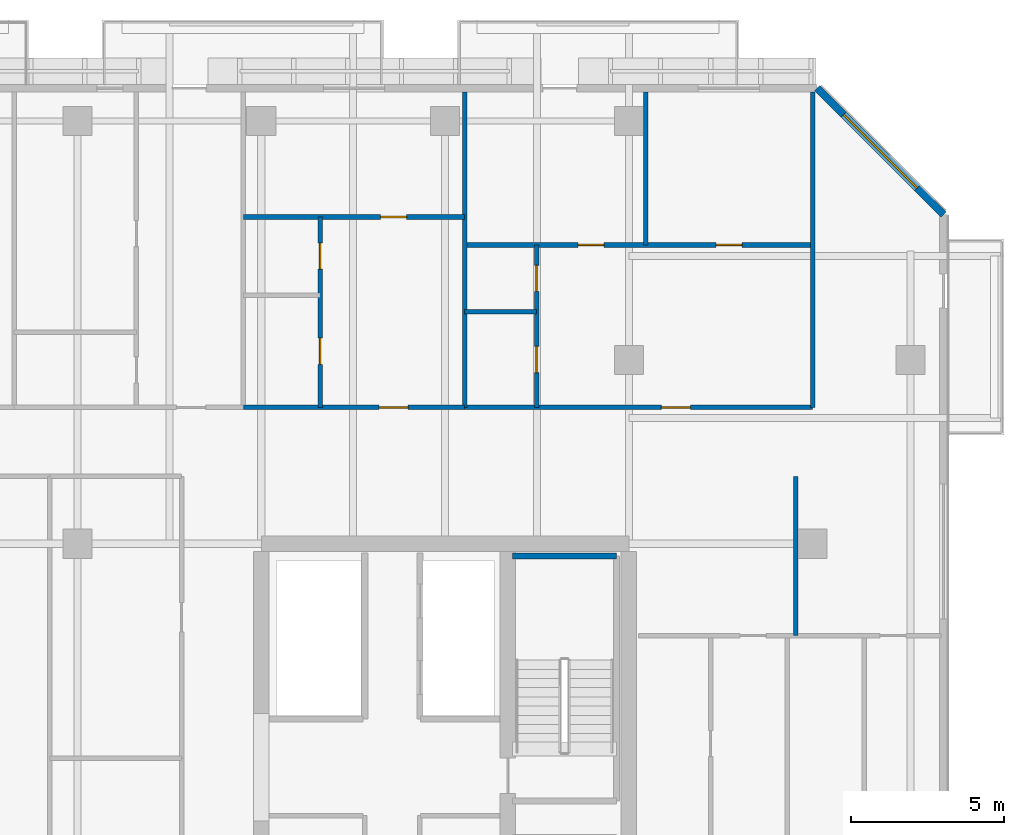
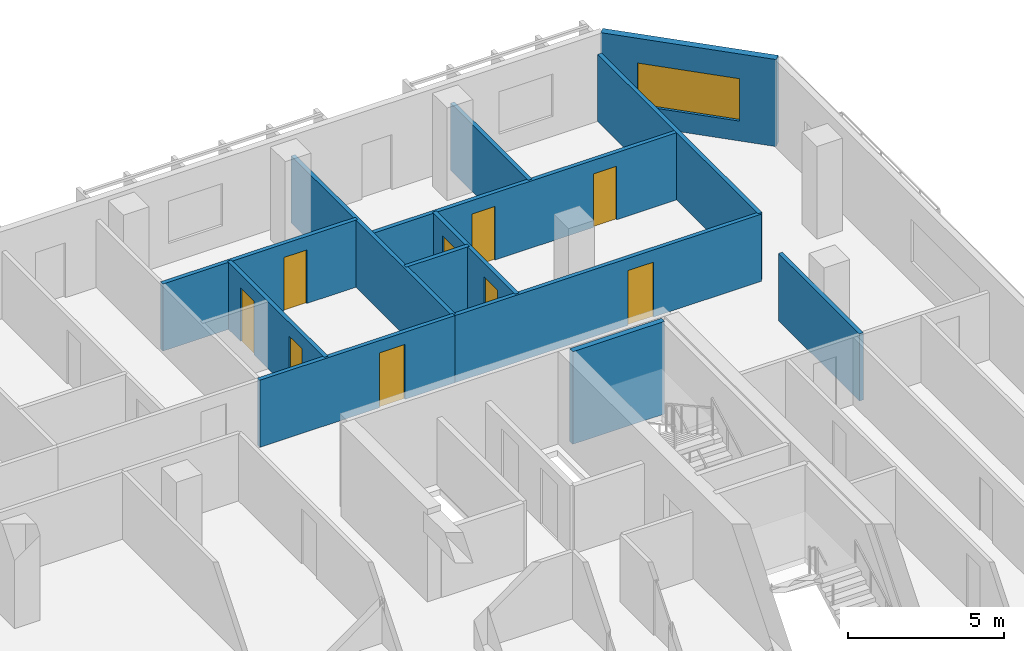
# One storey, part 15 of 22: 13 walls, 9 doors, 1 window, 10 openings.
"""IFC4 building model written with IfcOpenShell, lengths in metres."""

from ifc_helpers import new_model, si_unit, direction, frame, frame_2d, origin, place, context, subcontext, project, spatial, rectangle, extrude, material, layer, layer_set, type_object, element, fill, save


model = new_model("IFC4")

# Units and contexts
model_context = context("Model", 3, precision=1e-05, world=origin(), true_north=direction((0.0, 1.0)))
body_context = subcontext(model_context, "Body", "Model", "MODEL_VIEW")
ifc_project = project(units=[si_unit("LENGTHUNIT", "METRE"), si_unit("AREAUNIT", "SQUARE_METRE"), si_unit("VOLUMEUNIT", "CUBIC_METRE"), si_unit("PLANEANGLEUNIT", "RADIAN"), si_unit("MASSUNIT", "GRAM", prefix="KILO")], contexts=[model_context])

# Site, building, storey
site_placement = place(None, origin())
site = spatial("IfcSite", under=ifc_project, at=site_placement, CompositionType="ELEMENT")
building_placement = place(site_placement, origin())
building = spatial("IfcBuilding", under=site, at=building_placement, Name="Tanjung Sevakor Pilgrim Tower", CompositionType="ELEMENT")
storey_placement = place(building_placement, frame((0.0, 0.0, 115.830078125)))
storey = spatial("IfcBuildingStorey", under=building, at=storey_placement, Name="L32", CompositionType="ELEMENT", Elevation=115.830078125)

# Walls
ifc_material_1 = material(Name="Concrete C40/50", Category="concrete")
ifc_layer_1 = layer(ifc_material_1, 0.14990234375)
ifc_layer_set_1 = layer_set([ifc_layer_1], Name="WT-COMP-150")
wall_type_1 = type_object("IfcWallType", Name="WT-COMP-150", PredefinedType="SOLIDWALL", material=ifc_layer_set_1)
for number, where, z_axis, x_axis, name in (
    (1, (96.0, 47.050048828125, 0.0), (0.0, 0.0, 1.0), (0.0, 1.0, 0.0), "L32 Partition IW-L32-083"),
    (2, (84.642822265625, 47.050048828125, 0.0), (0.0, 0.0, 1.0), (0.0, 1.0, 0.0), "L32 Partition IW-L32-092"),
):
    element("IfcWall", number, at=place(storey_placement, frame(where, z_axis=z_axis, x_axis=x_axis)), inside=storey, type_object=wall_type_1, Name=name, PredefinedType="SOLIDWALL", context=body_context, shape_type="SweptSolid", body=[
        extrude(rectangle(XDim=10.300048828125, YDim=0.14990234375, at=frame_2d((5.14990234375, 0.0))), origin(), (0.0, 0.0, 1.0), 2.6298828125),
    ])

# Wall, opening, door
wall_1_placement = place(storey_placement, frame((77.41552734375, 47.050048828125, 0.0), z_axis=(0.0, 0.0, 1.0), x_axis=(1.0, 0.0, 0.0)))
wall_1 = element("IfcWall", 3, at=wall_1_placement, inside=storey, type_object=wall_type_1, Name="L32 Partition IW-L32-096", PredefinedType="SOLIDWALL", context=body_context, shape_type="SweptSolid", body=[
    extrude(rectangle(XDim=7.227294921875, YDim=0.14990234375, at=frame_2d((3.61376953125, 0.0))), origin(), (0.0, 0.0, 1.0), 2.6298828125),
])
opening_1_placement = place(wall_1_placement, frame((4.430908203125, 0.0, 0.0)))
opening_1 = element("IfcOpeningElement", 4, at=opening_1_placement, cuts=wall_1, Name="Opening ID-FD2", PredefinedType="OPENING", context=body_context, shape_type="SweptSolid", body=[
    extrude(rectangle(XDim=0.949951171875, YDim=2.14990234375, at=frame_2d((0.47509765625, 1.074951171875))), frame((0.0, 0.0849609375, 0.0), z_axis=(0.0, -1.0, 0.0), x_axis=(1.0, 0.0, 0.0)), (0.0, 0.0, 1.0), 0.169921875),
])
ifc_material_2 = material(Name="Fire-Rated Timber", Category="wood")
door_type_1 = type_object("IfcDoorType", Name="DT-FIRE-950", OperationType="NOTDEFINED", PredefinedType="DOOR", material=ifc_material_2)
door_1_placement = place(opening_1_placement, origin())
door_1 = element("IfcDoor", 5, at=door_1_placement, inside=storey, type_object=door_type_1, Name="Residence Entrance", OperationType="SINGLE_SWING_LEFT", OverallHeight=2.14990234375, OverallWidth=0.949951171875, PredefinedType="DOOR", context=body_context, shape_type="SweptSolid", body=[
    extrude(rectangle(XDim=0.949951171875, YDim=2.14990234375, at=frame_2d((0.47509765625, 1.074951171875))), frame((0.0, 0.02490234375, 0.0), z_axis=(0.0, -1.0, 0.0), x_axis=(1.0, 0.0, 0.0)), (0.0, 0.0, 1.0), 0.050048828125),
])
fill(opening_1, door_1)

wall_2_placement = place(storey_placement, frame((84.642822265625, 47.050048828125, 0.0), z_axis=(0.0, 0.0, 1.0), x_axis=(1.0, 0.0, 0.0)))
wall_2 = element("IfcWall", 6, at=wall_2_placement, inside=storey, type_object=wall_type_1, Name="L32 Partition IW-L32-101", PredefinedType="SOLIDWALL", context=body_context, shape_type="SweptSolid", body=[
    extrude(rectangle(XDim=11.357177734375, YDim=0.14990234375, at=frame_2d((5.6787109375, 0.0))), origin(), (0.0, 0.0, 1.0), 2.6298828125),
])
opening_2_placement = place(wall_2_placement, frame((6.418701171875, 0.0, 0.0)))
opening_2 = element("IfcOpeningElement", 7, at=opening_2_placement, cuts=wall_2, Name="Opening ID-FD2", PredefinedType="OPENING", context=body_context, shape_type="SweptSolid", body=[
    extrude(rectangle(XDim=0.949951171875, YDim=2.14990234375, at=frame_2d((0.47509765625, 1.074951171875))), frame((0.0, 0.0849609375, 0.0), z_axis=(0.0, -1.0, 0.0), x_axis=(1.0, 0.0, 0.0)), (0.0, 0.0, 1.0), 0.169921875),
])
door_2_placement = place(opening_2_placement, origin())
door_2 = element("IfcDoor", 8, at=door_2_placement, inside=storey, type_object=door_type_1, Name="Suite Entrance", OperationType="SINGLE_SWING_RIGHT", OverallHeight=2.14990234375, OverallWidth=0.949951171875, PredefinedType="DOOR", context=body_context, shape_type="SweptSolid", body=[
    extrude(rectangle(XDim=0.949951171875, YDim=2.14990234375, at=frame_2d((0.47509765625, 1.074951171875))), frame((0.0, 0.02490234375, 0.0), z_axis=(0.0, -1.0, 0.0), x_axis=(1.0, 0.0, 0.0)), (0.0, 0.0, 1.0), 0.050048828125),
])
fill(opening_2, door_2)

# Wall, opening, window
ifc_material_3 = material(Name="Precast concrete C45/55", Category="concrete")
ifc_layer_2 = layer(ifc_material_3, 0.25)
ifc_layer_set_2 = layer_set([ifc_layer_2], Name="WT-EW-STN3")
wall_type_2 = type_object("IfcWallType", Name="WT-EW-STN3", PredefinedType="SOLIDWALL", material=ifc_layer_set_2)
wall_3_placement = place(storey_placement, frame((100.27490234375, 53.34814453125, 0.0), z_axis=(0.0, 0.0, 1.0), x_axis=(-0.70708586489, 0.707127696864, 0.0)))
wall_3 = element("IfcWall", 9, at=wall_3_placement, inside=storey, type_object=wall_type_2, Name="L32 MAIN Sculpted Corner Wall 7", PredefinedType="SOLIDWALL", context=body_context, shape_type="SweptSolid", body=[
    extrude(rectangle(XDim=5.836181640625, YDim=0.25, at=frame_2d((2.91796875, 0.0))), origin(), (0.0, 0.0, 1.0), 3.409912109375),
])
opening_3_placement = place(wall_3_placement, frame((1.218017578125, 0.0, 0.780029296875)))
opening_3 = element("IfcOpeningElement", 10, at=opening_3_placement, cuts=wall_3, Name="Opening WN-CHM-1660", PredefinedType="OPENING", context=body_context, shape_type="SweptSolid", body=[
    extrude(rectangle(XDim=3.39990234375, YDim=1.659912109375, at=frame_2d((1.699951171875, 0.830078125))), frame((0.0, 0.135009765625, 0.0), z_axis=(0.0, -1.0, 0.0), x_axis=(1.0, 0.0, 0.0)), (0.0, 0.0, 1.0), 0.27001953125),
])
ifc_material_4 = material(Name="Thermally Broken Aluminium and Low-E Glass", Category="aluminium")
window_type = type_object("IfcWindowType", Name="WTYP-WN-CHM-1660", PartitioningType="DOUBLE_PANEL_VERTICAL", PredefinedType="WINDOW", material=ifc_material_4)
window_placement = place(opening_3_placement, origin())
window = element("IfcWindow", 11, at=window_placement, inside=storey, type_object=window_type, Name="L32 Facade Window 01", OverallHeight=1.659912109375, OverallWidth=3.39990234375, PartitioningType="SINGLE_PANEL", PredefinedType="WINDOW", context=body_context, shape_type="SweptSolid", body=[
    extrude(rectangle(XDim=3.39990234375, YDim=1.659912109375, at=frame_2d((1.699951171875, 0.830078125))), frame((0.0, 0.030029296875, 0.0), z_axis=(0.0, -1.0, 0.0), x_axis=(1.0, 0.0, 0.0)), (0.0, 0.0, 1.0), 0.06005859375),
])
fill(opening_3, window)

# Walls
ifc_material_5 = material(Name="Concrete C40/50", Category="concrete")
ifc_layer_3 = layer(ifc_material_5, 0.199951171875)
ifc_layer_set_3 = layer_set([ifc_layer_3], Name="WT-FIRE-200")
wall_type_3 = type_object("IfcWallType", Name="WT-FIRE-200", PredefinedType="SOLIDWALL", material=ifc_layer_set_3)
wall_4_placement = place(storey_placement, frame((89.60009765625, 42.199951171875, 0.0), z_axis=(0.0, 0.0, 1.0), x_axis=(-1.0, 0.0, 0.0)))
element("IfcWall", 12, at=wall_4_placement, inside=storey, type_object=wall_type_3, Name="L32 TS-E2 Shaft Wall 3", PredefinedType="SOLIDWALL", context=body_context, shape_type="SweptSolid", body=[
    extrude(rectangle(XDim=3.400146484375, YDim=0.199951171875, at=frame_2d((1.7001953125, 0.0))), origin(), (0.0, 0.0, 1.0), 3.6298828125),
])
ifc_material_6 = material(Name="Gypsum Board Partition", Category="gypsum board")
ifc_layer_4 = layer(ifc_material_6, 0.14990234375)
ifc_layer_set_4 = layer_set([ifc_layer_4], Name="WT-PART-150")
wall_type_4 = type_object("IfcWallType", Name="WT-PART-150", PredefinedType="PARTITIONING", material=ifc_layer_set_4)
wall_5_placement = place(storey_placement, frame((95.452392578125, 39.60009765625, 0.0), z_axis=(0.0, 0.0, 1.0), x_axis=(0.0, 1.0, 0.0)))
element("IfcWall", 13, at=wall_5_placement, inside=storey, type_object=wall_type_4, Name="L32 Partition IW-L32-040", PredefinedType="PARTITIONING", context=body_context, shape_type="SweptSolid", body=[
    extrude(rectangle(XDim=5.199951171875, YDim=0.14990234375, at=frame_2d((2.60009765625, 0.0))), origin(), (0.0, 0.0, 1.0), 2.6298828125),
])

# Wall, openings, doors
wall_6_placement = place(storey_placement, frame((79.919921875, 47.050048828125, 0.0), z_axis=(0.0, 0.0, 1.0), x_axis=(0.0, 1.0, 0.0)))
wall_6 = element("IfcWall", 14, at=wall_6_placement, inside=storey, type_object=wall_type_4, Name="L32 Partition IW-L32-094", PredefinedType="PARTITIONING", context=body_context, shape_type="SweptSolid", body=[
    extrude(rectangle(XDim=6.21826171875, YDim=0.14990234375, at=frame_2d((3.109130859375, 0.0))), origin(), (0.0, 0.0, 1.0), 2.6298828125),
])
opening_4_placement = place(wall_6_placement, frame((1.409423828125, 0.0, 0.0)))
opening_4 = element("IfcOpeningElement", 15, at=opening_4_placement, cuts=wall_6, Name="Opening ID-WC1", PredefinedType="OPENING", context=body_context, shape_type="SweptSolid", body=[
    extrude(rectangle(XDim=0.85009765625, YDim=2.10009765625, at=frame_2d((0.425048828125, 1.050048828125))), frame((0.0, 0.0849609375, 0.0), z_axis=(0.0, -1.0, 0.0), x_axis=(1.0, 0.0, 0.0)), (0.0, 0.0, 1.0), 0.169921875),
])
opening_5_placement = place(wall_6_placement, frame((4.5185546875, 0.0, 0.0)))
opening_5 = element("IfcOpeningElement", 16, at=opening_5_placement, cuts=wall_6, Name="Opening ID-WC1", PredefinedType="OPENING", context=body_context, shape_type="SweptSolid", body=[
    extrude(rectangle(XDim=0.85009765625, YDim=2.10009765625, at=frame_2d((0.425048828125, 1.050048828125))), frame((0.0, 0.0849609375, 0.0), z_axis=(0.0, -1.0, 0.0), x_axis=(1.0, 0.0, 0.0)), (0.0, 0.0, 1.0), 0.169921875),
])
ifc_material_7 = material(Name="Moisture-Resistant Timber", Category="wood")
door_type_2 = type_object("IfcDoorType", Name="DT-INT-850", OperationType="NOTDEFINED", PredefinedType="DOOR", material=ifc_material_7)
door_3_placement = place(opening_4_placement, origin())
door_3 = element("IfcDoor", 17, at=door_3_placement, inside=storey, type_object=door_type_2, Name="Residence Kitchenette Door", OperationType="SINGLE_SWING_RIGHT", OverallHeight=2.10009765625, OverallWidth=0.85009765625, PredefinedType="DOOR", context=body_context, shape_type="SweptSolid", body=[
    extrude(rectangle(XDim=0.85009765625, YDim=2.10009765625, at=frame_2d((0.425048828125, 1.050048828125))), frame((0.0, 0.02490234375, 0.0), z_axis=(0.0, -1.0, 0.0), x_axis=(1.0, 0.0, 0.0)), (0.0, 0.0, 1.0), 0.050048828125),
])
fill(opening_4, door_3)
door_4_placement = place(opening_5_placement, origin())
door_4 = element("IfcDoor", 18, at=door_4_placement, inside=storey, type_object=door_type_2, Name="Residence Bathroom Door", OperationType="SINGLE_SWING_LEFT", OverallHeight=2.10009765625, OverallWidth=0.85009765625, PredefinedType="DOOR", context=body_context, shape_type="SweptSolid", body=[
    extrude(rectangle(XDim=0.85009765625, YDim=2.10009765625, at=frame_2d((0.425048828125, 1.050048828125))), frame((0.0, 0.02490234375, 0.0), z_axis=(0.0, -1.0, 0.0), x_axis=(1.0, 0.0, 0.0)), (0.0, 0.0, 1.0), 0.050048828125),
])
fill(opening_5, door_4)

# Wall, opening, door
wall_7_placement = place(storey_placement, frame((77.41552734375, 53.268310546875, 0.0), z_axis=(0.0, 0.0, 1.0), x_axis=(1.0, 0.0, 0.0)))
wall_7 = element("IfcWall", 19, at=wall_7_placement, inside=storey, type_object=wall_type_4, Name="L32 Partition IW-L32-095", PredefinedType="PARTITIONING", context=body_context, shape_type="SweptSolid", body=[
    extrude(rectangle(XDim=7.227294921875, YDim=0.14990234375, at=frame_2d((3.61376953125, 0.0))), origin(), (0.0, 0.0, 1.0), 2.6298828125),
])
opening_6_placement = place(wall_7_placement, frame((4.48095703125, 0.0, 0.0)))
opening_6 = element("IfcOpeningElement", 20, at=opening_6_placement, cuts=wall_7, Name="Opening ID-WC1", PredefinedType="OPENING", context=body_context, shape_type="SweptSolid", body=[
    extrude(rectangle(XDim=0.85009765625, YDim=2.10009765625, at=frame_2d((0.425048828125, 1.050048828125))), frame((0.0, 0.0849609375, 0.0), z_axis=(0.0, -1.0, 0.0), x_axis=(1.0, 0.0, 0.0)), (0.0, 0.0, 1.0), 0.169921875),
])
door_5_placement = place(opening_6_placement, origin())
door_5 = element("IfcDoor", 21, at=door_5_placement, inside=storey, type_object=door_type_2, Name="Residence Bedroom Door", OperationType="SINGLE_SWING_RIGHT", OverallHeight=2.10009765625, OverallWidth=0.85009765625, PredefinedType="DOOR", context=body_context, shape_type="SweptSolid", body=[
    extrude(rectangle(XDim=0.85009765625, YDim=2.10009765625, at=frame_2d((0.425048828125, 1.050048828125))), frame((0.0, 0.02490234375, 0.0), z_axis=(0.0, -1.0, 0.0), x_axis=(1.0, 0.0, 0.0)), (0.0, 0.0, 1.0), 0.050048828125),
])
fill(opening_6, door_5)

# Wall
wall_8_placement = place(storey_placement, frame((84.642822265625, 50.1796875, 0.0), z_axis=(0.0, 0.0, 1.0), x_axis=(1.0, 0.0, 0.0)))
element("IfcWall", 22, at=wall_8_placement, inside=storey, type_object=wall_type_4, Name="L32 Partition IW-L32-097", PredefinedType="PARTITIONING", context=body_context, shape_type="SweptSolid", body=[
    extrude(rectangle(XDim=2.35009765625, YDim=0.14990234375, at=frame_2d((1.175048828125, 0.0))), origin(), (0.0, 0.0, 1.0), 2.6298828125),
])

# Wall, openings, doors
wall_9_placement = place(storey_placement, frame((86.992919921875, 47.050048828125, 0.0), z_axis=(0.0, 0.0, 1.0), x_axis=(0.0, 1.0, 0.0)))
wall_9 = element("IfcWall", 23, at=wall_9_placement, inside=storey, type_object=wall_type_4, Name="L32 Partition IW-L32-098", PredefinedType="PARTITIONING", context=body_context, shape_type="SweptSolid", body=[
    extrude(rectangle(XDim=5.3046875, YDim=0.14990234375, at=frame_2d((2.65234375, 0.0))), origin(), (0.0, 0.0, 1.0), 2.6298828125),
])
opening_7_placement = place(wall_9_placement, frame((1.139892578125, 0.0, 0.0)))
opening_7 = element("IfcOpeningElement", 24, at=opening_7_placement, cuts=wall_9, Name="Opening ID-WC1", PredefinedType="OPENING", context=body_context, shape_type="SweptSolid", body=[
    extrude(rectangle(XDim=0.85009765625, YDim=2.10009765625, at=frame_2d((0.425048828125, 1.050048828125))), frame((0.0, 0.0849609375, 0.0), z_axis=(0.0, -1.0, 0.0), x_axis=(1.0, 0.0, 0.0)), (0.0, 0.0, 1.0), 0.169921875),
])
opening_8_placement = place(wall_9_placement, frame((3.792236328125, 0.0, 0.0)))
opening_8 = element("IfcOpeningElement", 25, at=opening_8_placement, cuts=wall_9, Name="Opening ID-WC1", PredefinedType="OPENING", context=body_context, shape_type="SweptSolid", body=[
    extrude(rectangle(XDim=0.85009765625, YDim=2.10009765625, at=frame_2d((0.425048828125, 1.050048828125))), frame((0.0, 0.0849609375, 0.0), z_axis=(0.0, -1.0, 0.0), x_axis=(1.0, 0.0, 0.0)), (0.0, 0.0, 1.0), 0.169921875),
])
door_6_placement = place(opening_7_placement, origin())
door_6 = element("IfcDoor", 26, at=door_6_placement, inside=storey, type_object=door_type_2, Name="Suite Kitchenette Door", OperationType="SINGLE_SWING_RIGHT", OverallHeight=2.10009765625, OverallWidth=0.85009765625, PredefinedType="DOOR", context=body_context, shape_type="SweptSolid", body=[
    extrude(rectangle(XDim=0.85009765625, YDim=2.10009765625, at=frame_2d((0.425048828125, 1.050048828125))), frame((0.0, 0.02490234375, 0.0), z_axis=(0.0, -1.0, 0.0), x_axis=(1.0, 0.0, 0.0)), (0.0, 0.0, 1.0), 0.050048828125),
])
fill(opening_7, door_6)
door_7_placement = place(opening_8_placement, origin())
door_7 = element("IfcDoor", 27, at=door_7_placement, inside=storey, type_object=door_type_2, Name="Suite Bathroom Door", OperationType="SINGLE_SWING_LEFT", OverallHeight=2.10009765625, OverallWidth=0.85009765625, PredefinedType="DOOR", context=body_context, shape_type="SweptSolid", body=[
    extrude(rectangle(XDim=0.85009765625, YDim=2.10009765625, at=frame_2d((0.425048828125, 1.050048828125))), frame((0.0, 0.02490234375, 0.0), z_axis=(0.0, -1.0, 0.0), x_axis=(1.0, 0.0, 0.0)), (0.0, 0.0, 1.0), 0.050048828125),
])
fill(opening_8, door_7)

# Wall
wall_10_placement = place(storey_placement, frame((90.548583984375, 52.354736328125, 0.0), z_axis=(0.0, 0.0, 1.0), x_axis=(0.0, 1.0, 0.0)))
element("IfcWall", 28, at=wall_10_placement, inside=storey, type_object=wall_type_4, Name="L32 Partition IW-L32-099", PredefinedType="PARTITIONING", context=body_context, shape_type="SweptSolid", body=[
    extrude(rectangle(XDim=4.995361328125, YDim=0.14990234375, at=frame_2d((2.49755859375, 0.0))), origin(), (0.0, 0.0, 1.0), 2.6298828125),
])

# Wall, openings, doors
wall_11_placement = place(storey_placement, frame((84.642822265625, 52.354736328125, 0.0), z_axis=(0.0, 0.0, 1.0), x_axis=(1.0, 0.0, 0.0)))
wall_11 = element("IfcWall", 29, at=wall_11_placement, inside=storey, type_object=wall_type_4, Name="L32 Partition IW-L32-100", PredefinedType="PARTITIONING", context=body_context, shape_type="SweptSolid", body=[
    extrude(rectangle(XDim=11.357177734375, YDim=0.14990234375, at=frame_2d((5.6787109375, 0.0))), origin(), (0.0, 0.0, 1.0), 2.6298828125),
])
opening_9_placement = place(wall_11_placement, frame((3.702880859375, 0.0, 0.0)))
opening_9 = element("IfcOpeningElement", 30, at=opening_9_placement, cuts=wall_11, Name="Opening ID-WC1", PredefinedType="OPENING", context=body_context, shape_type="SweptSolid", body=[
    extrude(rectangle(XDim=0.85009765625, YDim=2.10009765625, at=frame_2d((0.425048828125, 1.050048828125))), frame((0.0, 0.0849609375, 0.0), z_axis=(0.0, -1.0, 0.0), x_axis=(1.0, 0.0, 0.0)), (0.0, 0.0, 1.0), 0.169921875),
])
opening_10_placement = place(wall_11_placement, frame((8.20654296875, 0.0, 0.0)))
opening_10 = element("IfcOpeningElement", 31, at=opening_10_placement, cuts=wall_11, Name="Opening ID-WC1", PredefinedType="OPENING", context=body_context, shape_type="SweptSolid", body=[
    extrude(rectangle(XDim=0.85009765625, YDim=2.10009765625, at=frame_2d((0.425048828125, 1.050048828125))), frame((0.0, 0.0849609375, 0.0), z_axis=(0.0, -1.0, 0.0), x_axis=(1.0, 0.0, 0.0)), (0.0, 0.0, 1.0), 0.169921875),
])
door_8_placement = place(opening_9_placement, origin())
door_8 = element("IfcDoor", 32, at=door_8_placement, inside=storey, type_object=door_type_2, Name="Suite Bedroom 1 Door", OperationType="SINGLE_SWING_RIGHT", OverallHeight=2.10009765625, OverallWidth=0.85009765625, PredefinedType="DOOR", context=body_context, shape_type="SweptSolid", body=[
    extrude(rectangle(XDim=0.85009765625, YDim=2.10009765625, at=frame_2d((0.425048828125, 1.050048828125))), frame((0.0, 0.02490234375, 0.0), z_axis=(0.0, -1.0, 0.0), x_axis=(1.0, 0.0, 0.0)), (0.0, 0.0, 1.0), 0.050048828125),
])
fill(opening_9, door_8)
door_9_placement = place(opening_10_placement, origin())
door_9 = element("IfcDoor", 33, at=door_9_placement, inside=storey, type_object=door_type_2, Name="Suite Bedroom 2 Door", OperationType="SINGLE_SWING_LEFT", OverallHeight=2.10009765625, OverallWidth=0.85009765625, PredefinedType="DOOR", context=body_context, shape_type="SweptSolid", body=[
    extrude(rectangle(XDim=0.85009765625, YDim=2.10009765625, at=frame_2d((0.425048828125, 1.050048828125))), frame((0.0, 0.02490234375, 0.0), z_axis=(0.0, -1.0, 0.0), x_axis=(1.0, 0.0, 0.0)), (0.0, 0.0, 1.0), 0.050048828125),
])
fill(opening_10, door_9)

save(model, "model.ifc")
